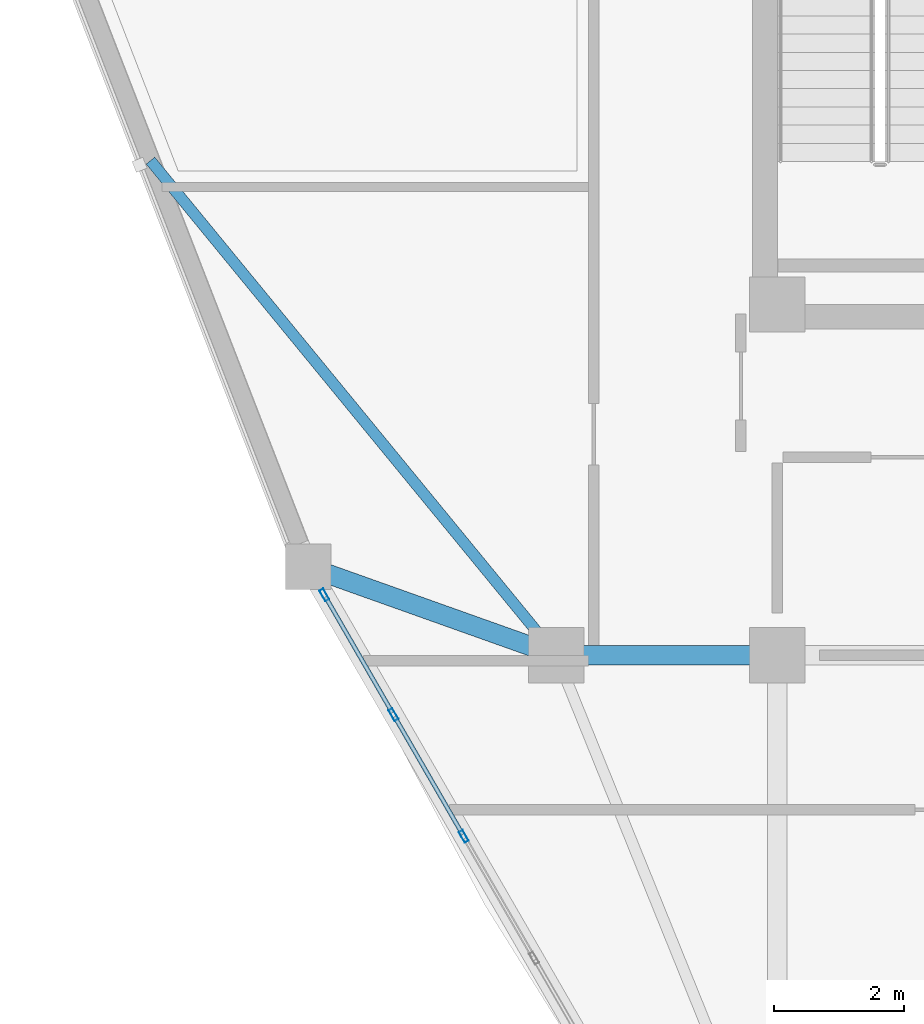
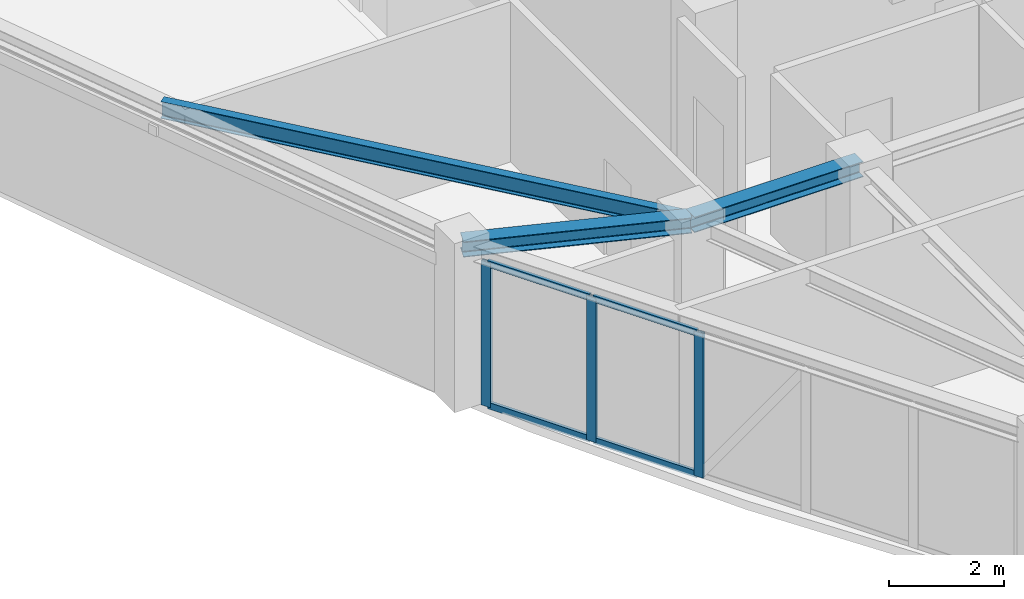
# One storey, part 5 of 15: 7 members, 3 beams, 1 element without a shape of its own.
"""IFC4 building model written with IfcOpenShell, lengths in metres."""

from ifc_helpers import new_model, si_unit, derived_unit, direction, frame, origin, origin_2d, place, context, subcontext, project, spatial, hollow_rectangle, i_section, extrude, source, transform, mapped, material, layer, layer_set, material_profile, profile_set, type_object, element, aggregate, save


model = new_model("IFC4")

# Units and contexts
model_context = context("Model", 3, precision=1e-05, world=origin(), true_north=direction((0.0, 1.0)))
body_context = subcontext(model_context, "Body", "Model", "MODEL_VIEW")
ifc_project = project(units=[si_unit("LENGTHUNIT", "METRE"), si_unit("AREAUNIT", "SQUARE_METRE"), si_unit("VOLUMEUNIT", "CUBIC_METRE"), si_unit("PLANEANGLEUNIT", "RADIAN"), si_unit("MASSUNIT", "GRAM", prefix="KILO"), derived_unit("THERMALTRANSMITTANCEUNIT", [(si_unit("POWERUNIT", "WATT"), 1), (si_unit("LENGTHUNIT", "METRE"), -2), (si_unit("THERMODYNAMICTEMPERATUREUNIT", "KELVIN"), -1)])], contexts=[model_context])

# Site, building, storey
site_placement = place(None, origin())
site = spatial("IfcSite", under=ifc_project, at=site_placement, CompositionType="ELEMENT")
building_placement = place(site_placement, origin())
building = spatial("IfcBuilding", under=site, at=building_placement, Name="Korsvarv Bourse and Concert Hall", CompositionType="ELEMENT")
storey_placement = place(building_placement, frame((0.0, 0.0, 268.199951171875)))
storey = spatial("IfcBuildingStorey", under=building, at=storey_placement, Name="L70", CompositionType="ELEMENT", Elevation=268.199951171875)

# Beams
ifc_material_1 = material(Name="Steel S355", Category="steel")
ifc_material_profile_1 = material_profile(ifc_material_1, i_section(OverallWidth=0.300048828125, OverallDepth=0.330078125, WebThickness=0.009521484375, FlangeThickness=0.0166015625, FilletRadius=0.02099609375, at=origin_2d()), Name="HEA 340")
ifc_profile_set_1 = profile_set([ifc_material_profile_1], Name="Steel S355")
beam_type_1 = type_object("IfcBeamType", Name="BM-HEA340", PredefinedType="BEAM", material=ifc_profile_set_1)
shared_shape_1 = source(origin(), body_context, "Body", "SweptSolid", [
    extrude(i_section(OverallWidth=0.300048828125, OverallDepth=0.330078125, WebThickness=0.009521484375, FlangeThickness=0.0166015625, FilletRadius=0.02099609375, at=origin_2d()), origin(), (0.0, 0.0, 1.0), 3.400146484375),
])
beam_1_placement = place(storey_placement, frame((24.199951171875, 32.39990234375, 3.2451171875), z_axis=(1.0, 0.0, 0.0), x_axis=(0.0, 1.0, 0.0)))
element("IfcBeam", 1, at=beam_1_placement, inside=storey, type_object=beam_type_1, Name="L70 beam B-12", PredefinedType="BEAM", context=body_context, shape_type="MappedRepresentation", body=[
    mapped(shared_shape_1, transform((0.0, 0.0, 0.0), scale=1.0)),
])
shared_shape_2 = source(origin(), body_context, "Body", "SweptSolid", [
    extrude(i_section(OverallWidth=0.300048828125, OverallDepth=0.330078125, WebThickness=0.009521484375, FlangeThickness=0.0166015625, FilletRadius=0.02099609375, at=origin_2d()), origin(), (0.0, 0.0, 1.0), 4.053955078125),
])
beam_2_placement = place(storey_placement, frame((20.380859375, 33.759765625, 3.2451171875), z_axis=(0.94206167273, -0.335439718539, 0.0), x_axis=(0.335439718539, 0.94206167273, 0.0)))
element("IfcBeam", 2, at=beam_2_placement, inside=storey, type_object=beam_type_1, Name="L70 beam B-12", PredefinedType="BEAM", context=body_context, shape_type="MappedRepresentation", body=[
    mapped(shared_shape_2, transform((0.0, 0.0, 0.0), scale=1.0)),
])
ifc_material_profile_2 = material_profile(ifc_material_1, i_section(OverallWidth=0.169921875, OverallDepth=0.360107421875, WebThickness=0.008056640625, FlangeThickness=0.0126953125, FilletRadius=0.01806640625, at=origin_2d()), Name="IPE 360")
ifc_profile_set_2 = profile_set([ifc_material_profile_2], Name="Steel S355")
beam_type_2 = type_object("IfcBeamType", Name="BM-IPE360", PredefinedType="JOIST", material=ifc_profile_set_2)
shared_shape_3 = source(origin(), body_context, "Body", "SweptSolid", [
    extrude(i_section(OverallWidth=0.169921875, OverallDepth=0.360107421875, WebThickness=0.008056640625, FlangeThickness=0.0126953125, FilletRadius=0.01806640625, at=origin_2d()), origin(), (0.0, 0.0, 1.0), 9.84765625),
])
beam_3_placement = place(storey_placement, frame((17.953369140625, 40.012939453125, 3.22998046875), z_axis=(0.634315851859, -0.773073993923, 0.0), x_axis=(0.773073993923, 0.634315851859, 0.0)))
element("IfcBeam", 3, at=beam_3_placement, inside=storey, type_object=beam_type_2, Name="L70 beam J-06", PredefinedType="JOIST", context=body_context, shape_type="MappedRepresentation", body=[
    mapped(shared_shape_3, transform((0.0, 0.0, 0.0), scale=1.0)),
])

# Curtain wall, members
ifc_material_2 = material(Name="Anodised aluminium and triple low-E glazing", Category="glass")
ifc_layer = layer(ifc_material_2, 0.199951171875)
ifc_layer_set = layer_set([ifc_layer], Name="Anodised aluminium and triple low-E glazing")
curtain_wall_type = type_object("IfcCurtainWallType", Name="CW-SYS-3", PredefinedType="NOTDEFINED", material=ifc_layer_set)
curtain_wall_placement = place(storey_placement, origin())
curtain_wall = element("IfcCurtainWall", 4, at=curtain_wall_placement, inside=storey, type_object=curtain_wall_type, Name="L70 CW3 curtain wall CW-L70-F07", PredefinedType="NOTDEFINED")
ifc_material_3 = material(Name="Extruded aluminium EN AW-6063 T66", Category="aluminium")
ifc_material_profile_3 = material_profile(ifc_material_3, hollow_rectangle(XDim=0.070068359375, YDim=0.18994140625, WallThickness=0.0048828125, at=origin_2d()), Name="ALU-M 70x190")
ifc_profile_set_3 = profile_set([ifc_material_profile_3], Name="Extruded aluminium EN AW-6063 T66")
member_type_1 = type_object("IfcMemberType", Name="CWM-190", PredefinedType="MULLION", material=ifc_profile_set_3)
shared_shape_4 = source(origin(), body_context, "Body", "SweptSolid", [
    extrude(hollow_rectangle(XDim=0.070068359375, YDim=0.18994140625, WallThickness=0.0048828125, at=origin_2d()), origin(), (0.0, 0.0, 1.0), 3.080078125),
])
member_1_placement = place(storey_placement, frame((20.629150390625, 33.32958984375, 0.0), z_axis=(0.0, 0.0, 1.0), x_axis=(0.866022834448, 0.500004450195, 0.0)))
member_1 = element("IfcMember", 5, at=member_1_placement, type_object=member_type_1, Name="CW3 mullion 1", PredefinedType="MULLION", context=body_context, shape_type="MappedRepresentation", body=[
    mapped(shared_shape_4, transform((0.0, 0.0, 0.0), scale=1.0)),
])
member_2_placement = place(storey_placement, frame((21.693359375, 31.486572265625, 0.0), z_axis=(0.0, 0.0, 1.0), x_axis=(0.866022834448, 0.500004450195, 0.0)))
member_2 = element("IfcMember", 6, at=member_2_placement, type_object=member_type_1, Name="CW3 mullion 2", PredefinedType="MULLION", context=body_context, shape_type="MappedRepresentation", body=[
    mapped(shared_shape_4, transform((0.0, 0.0, 0.0), scale=1.0)),
])
member_3_placement = place(storey_placement, frame((22.774658203125, 29.61328125, 0.0), z_axis=(0.0, 0.0, 1.0), x_axis=(0.866022834448, 0.500004450195, 0.0)))
member_3 = element("IfcMember", 7, at=member_3_placement, type_object=member_type_1, Name="CW3 mullion 3", PredefinedType="MULLION", context=body_context, shape_type="MappedRepresentation", body=[
    mapped(shared_shape_4, transform((0.0, 0.0, 0.0), scale=1.0)),
])
ifc_material_profile_4 = material_profile(ifc_material_3, hollow_rectangle(XDim=0.06494140625, YDim=0.139892578125, WallThickness=0.00390625, at=origin_2d()), Name="ALU-T 65x140")
ifc_profile_set_4 = profile_set([ifc_material_profile_4], Name="Extruded aluminium EN AW-6063 T66")
member_type_2 = type_object("IfcMemberType", Name="CWT-140", PredefinedType="USERDEFINED", material=ifc_profile_set_4)
shared_shape_5 = source(origin(), body_context, "Body", "SweptSolid", [
    extrude(hollow_rectangle(XDim=0.06494140625, YDim=0.139892578125, WallThickness=0.00390625, at=origin_2d()), origin(), (0.0, 0.0, 1.0), 2.057861328125),
])
member_4_placement = place(storey_placement, frame((20.646728515625, 33.299072265625, 0.032470703125), z_axis=(0.500030520673, -0.866007781949, 0.0), x_axis=(0.866007781949, 0.500030520673, 0.0)))
member_4 = element("IfcMember", 8, at=member_4_placement, type_object=member_type_2, Name="CW3 transom 1.1", ObjectType="TRANSOM", PredefinedType="USERDEFINED", context=body_context, shape_type="MappedRepresentation", body=[
    mapped(shared_shape_5, transform((0.0, 0.0, 0.0), scale=1.0)),
])
member_5_placement = place(storey_placement, frame((20.646728515625, 33.299072265625, 3.047607421875), z_axis=(0.500030520673, -0.866007781949, 0.0), x_axis=(0.866007781949, 0.500030520673, 0.0)))
member_5 = element("IfcMember", 9, at=member_5_placement, type_object=member_type_2, Name="CW3 transom 1.2", ObjectType="TRANSOM", PredefinedType="USERDEFINED", context=body_context, shape_type="MappedRepresentation", body=[
    mapped(shared_shape_5, transform((0.0, 0.0, 0.0), scale=1.0)),
])
shared_shape_6 = source(origin(), body_context, "Body", "SweptSolid", [
    extrude(hollow_rectangle(XDim=0.06494140625, YDim=0.139892578125, WallThickness=0.00390625, at=origin_2d()), origin(), (0.0, 0.0, 1.0), 2.09326171875),
])
member_6_placement = place(storey_placement, frame((21.710693359375, 31.456298828125, 0.032470703125), z_axis=(0.5000152428, -0.866016603171, 0.0), x_axis=(0.866016603171, 0.5000152428, 0.0)))
member_6 = element("IfcMember", 10, at=member_6_placement, type_object=member_type_2, Name="CW3 transom 2.1", ObjectType="TRANSOM", PredefinedType="USERDEFINED", context=body_context, shape_type="MappedRepresentation", body=[
    mapped(shared_shape_6, transform((0.0, 0.0, 0.0), scale=1.0)),
])
member_7_placement = place(storey_placement, frame((21.710693359375, 31.456298828125, 3.047607421875), z_axis=(0.5000152428, -0.866016603171, 0.0), x_axis=(0.866016603171, 0.5000152428, 0.0)))
member_7 = element("IfcMember", 11, at=member_7_placement, type_object=member_type_2, Name="CW3 transom 2.2", ObjectType="TRANSOM", PredefinedType="USERDEFINED", context=body_context, shape_type="MappedRepresentation", body=[
    mapped(shared_shape_6, transform((0.0, 0.0, 0.0), scale=1.0)),
])
aggregate(curtain_wall, [member_1, member_2, member_3, member_4, member_5, member_6, member_7])

save(model, "model.ifc")
